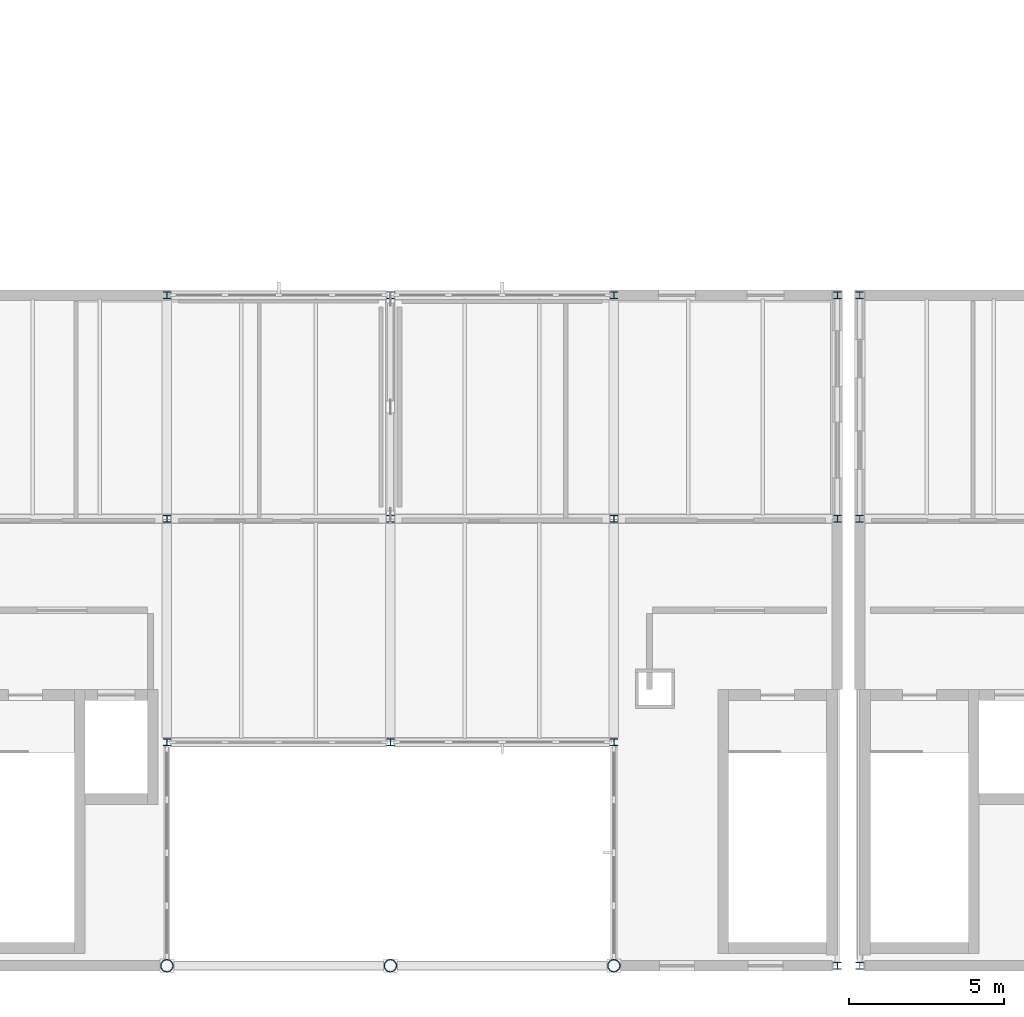
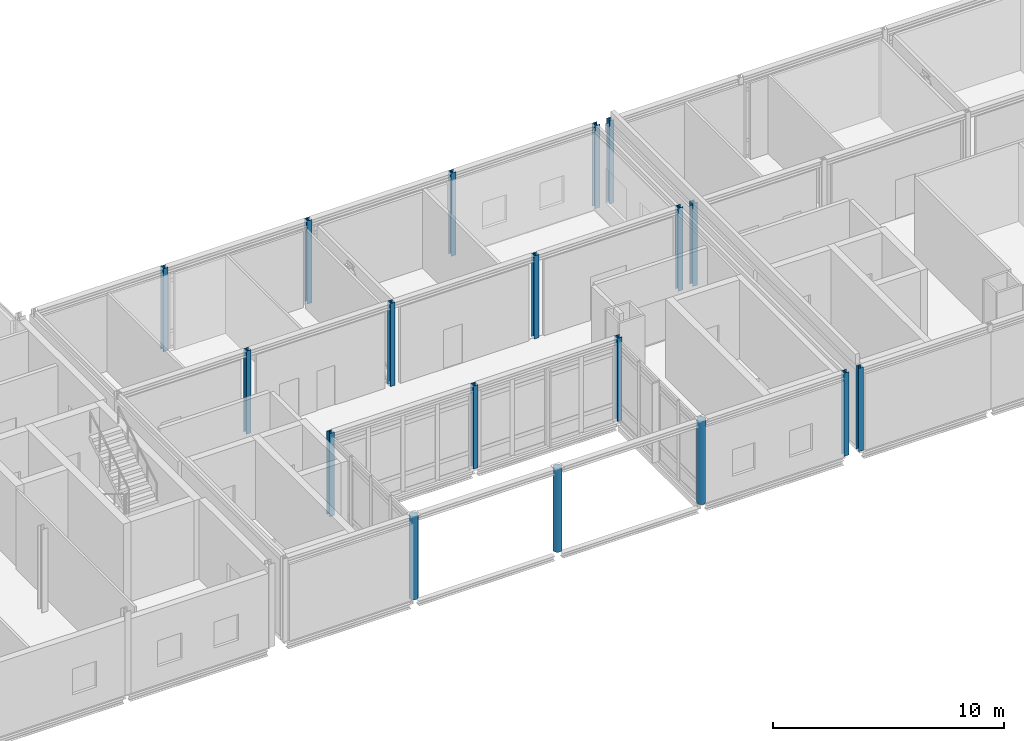
# One storey, part 3 of 43: 18 columns.
"""IFC4 building model written with IfcOpenShell, lengths in metres."""

from ifc_helpers import new_model, si_unit, direction, frame, origin, origin_2d, place, context, subcontext, project, spatial, hollow_circle, i_section, extrude, material, material_profile, profile_set, type_object, element, save


model = new_model("IFC4")

# Units and contexts
model_context = context("Model", 3, precision=1e-05, world=origin(), true_north=direction((0.0, 1.0)))
body_context = subcontext(model_context, "Body", "Model", "MODEL_VIEW")
ifc_project = project(units=[si_unit("LENGTHUNIT", "METRE"), si_unit("AREAUNIT", "SQUARE_METRE"), si_unit("VOLUMEUNIT", "CUBIC_METRE"), si_unit("PLANEANGLEUNIT", "RADIAN"), si_unit("MASSUNIT", "GRAM", prefix="KILO")], contexts=[model_context])

# Site, building, storey
site_placement = place(None, origin())
site = spatial("IfcSite", under=ifc_project, at=site_placement, CompositionType="ELEMENT")
building_placement = place(site_placement, origin())
building = spatial("IfcBuilding", under=site, at=building_placement, Name="Zarrinpeak Specialist Clinic", CompositionType="ELEMENT")
storey_placement = place(building_placement, frame((0.0, 0.0, 18.39990234375)))
storey = spatial("IfcBuildingStorey", under=building, at=storey_placement, Name="L04", CompositionType="ELEMENT", Elevation=18.39990234375)

# Columns
ifc_material = material(Name="Steel S355", Category="steel")
ifc_material_profile_1 = material_profile(ifc_material, hollow_circle(Radius=0.203125, WallThickness=0.01611328125, at=origin_2d()), Name="CHS 406.4x16.0")
ifc_profile_set_1 = profile_set([ifc_material_profile_1], Name="Steel S355")
column_type_1 = type_object("IfcColumnType", Name="COL-CHS406", PredefinedType="COLUMN", material=ifc_profile_set_1)
for number, where, z_axis, x_axis, name in (
    (1, (36.0, 0.0, 0.0), (0.0, 0.0, 1.0), (1.0, 0.0, 0.0), "L04 Structural Column COL-L04-040"),
    (2, (43.199951171875, 0.0, 0.0), (0.0, 0.0, 1.0), (1.0, 0.0, 0.0), "L04 Structural Column COL-L04-048"),
    (3, (50.39990234375, 0.0, 0.0), (0.0, 0.0, 1.0), (1.0, 0.0, 0.0), "L04 Structural Column COL-L04-057"),
):
    element("IfcColumn", number, at=place(storey_placement, frame(where, z_axis=z_axis, x_axis=x_axis)), inside=storey, type_object=column_type_1, Name=name, PredefinedType="COLUMN", context=body_context, shape_type="SweptSolid", body=[
        extrude(hollow_circle(Radius=0.203125, WallThickness=0.01611328125, at=origin_2d()), origin(), (0.0, 0.0, 1.0), 4.400146484375),
    ])
ifc_material_profile_2 = material_profile(ifc_material, i_section(OverallWidth=0.239990234375, OverallDepth=0.239990234375, WebThickness=0.010009765625, FlangeThickness=0.01708984375, FilletRadius=0.02099609375, at=origin_2d()), Name="HEB 240")
ifc_profile_set_2 = profile_set([ifc_material_profile_2], Name="Steel S355")
column_type_2 = type_object("IfcColumnType", Name="COL-HEB240", PredefinedType="COLUMN", material=ifc_profile_set_2)
for number, where, z_axis, x_axis, name in (
    (4, (36.0, 7.199951171875, 0.0), (0.0, 0.0, 1.0), (1.0, 0.0, 0.0), "L04 Structural Column COL-L04-041"),
    (5, (36.0, 14.39990234375, 0.0), (0.0, 0.0, 1.0), (1.0, 0.0, 0.0), "L04 Structural Column COL-L04-042"),
    (6, (36.0, 21.60009765625, 0.0), (0.0, 0.0, 1.0), (1.0, 0.0, 0.0), "L04 Structural Column COL-L04-043"),
    (7, (43.199951171875, 7.199951171875, 0.0), (0.0, 0.0, 1.0), (1.0, 0.0, 0.0), "L04 Structural Column COL-L04-049"),
    (8, (43.199951171875, 14.39990234375, 0.0), (0.0, 0.0, 1.0), (1.0, 0.0, 0.0), "L04 Structural Column COL-L04-050"),
    (9, (43.199951171875, 21.60009765625, 0.0), (0.0, 0.0, 1.0), (1.0, 0.0, 0.0), "L04 Structural Column COL-L04-051"),
    (10, (50.39990234375, 7.199951171875, 0.0), (0.0, 0.0, 1.0), (1.0, 0.0, 0.0), "L04 Structural Column COL-L04-058"),
    (11, (50.39990234375, 14.39990234375, 0.0), (0.0, 0.0, 1.0), (1.0, 0.0, 0.0), "L04 Structural Column COL-L04-059"),
    (12, (50.39990234375, 21.60009765625, 0.0), (0.0, 0.0, 1.0), (1.0, 0.0, 0.0), "L04 Structural Column COL-L04-060"),
    (13, (57.60009765625, 0.0, 0.0), (0.0, 0.0, 1.0), (1.0, 0.0, 0.0), "L04 Structural Column COL-L04-066"),
    (14, (57.60009765625, 14.39990234375, 0.0), (0.0, 0.0, 1.0), (1.0, 0.0, 0.0), "L04 Structural Column COL-L04-067"),
    (15, (57.60009765625, 21.60009765625, 0.0), (0.0, 0.0, 1.0), (1.0, 0.0, 0.0), "L04 Structural Column COL-L04-068"),
    (16, (58.320068359375, 0.0, 0.0), (0.0, 0.0, 1.0), (1.0, 0.0, 0.0), "L04 Structural Column COL-L04-074"),
    (17, (58.320068359375, 14.39990234375, 0.0), (0.0, 0.0, 1.0), (1.0, 0.0, 0.0), "L04 Structural Column COL-L04-075"),
    (18, (58.320068359375, 21.60009765625, 0.0), (0.0, 0.0, 1.0), (1.0, 0.0, 0.0), "L04 Structural Column COL-L04-076"),
):
    element("IfcColumn", number, at=place(storey_placement, frame(where, z_axis=z_axis, x_axis=x_axis)), inside=storey, type_object=column_type_2, Name=name, PredefinedType="COLUMN", context=body_context, shape_type="SweptSolid", body=[
        extrude(i_section(OverallWidth=0.239990234375, OverallDepth=0.239990234375, WebThickness=0.010009765625, FlangeThickness=0.01708984375, FilletRadius=0.02099609375, at=origin_2d()), origin(), (0.0, 0.0, 1.0), 4.400146484375),
    ])

save(model, "model.ifc")
